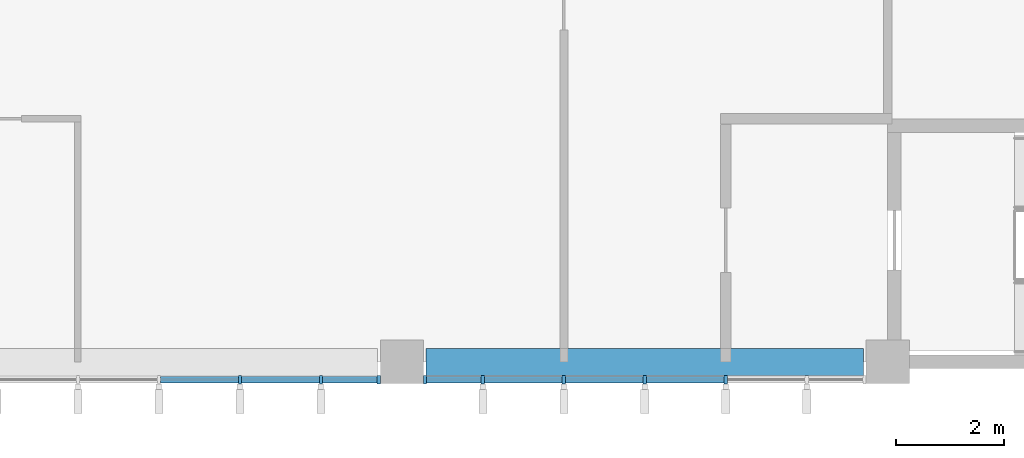
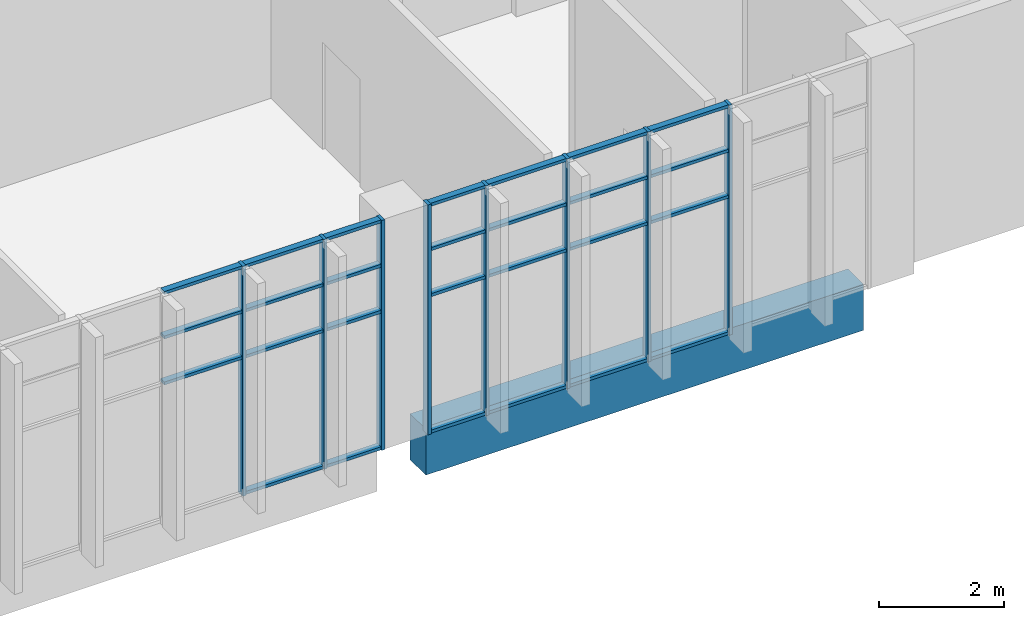
# One storey, part 11 of 40: 35 members, 1 beam, 2 elements without a shape of their own.
"""IFC4 building model written with IfcOpenShell, lengths in metres."""

from ifc_helpers import new_model, si_unit, direction, frame, origin, origin_2d, place, context, subcontext, project, spatial, rectangle, extrude, material, layer, layer_set, material_profile, profile_set, type_object, element, aggregate, save


model = new_model("IFC4")

# Units and contexts
model_context = context("Model", 3, precision=1e-05, world=origin(), true_north=direction((0.0, 1.0)))
body_context = subcontext(model_context, "Body", "Model", "MODEL_VIEW")
ifc_project = project(units=[si_unit("LENGTHUNIT", "METRE"), si_unit("AREAUNIT", "SQUARE_METRE"), si_unit("VOLUMEUNIT", "CUBIC_METRE"), si_unit("PLANEANGLEUNIT", "RADIAN"), si_unit("MASSUNIT", "GRAM", prefix="KILO")], contexts=[model_context])

# Site, building, storey
site_placement = place(None, origin())
site = spatial("IfcSite", under=ifc_project, at=site_placement, CompositionType="ELEMENT")
building_placement = place(site_placement, origin())
building = spatial("IfcBuilding", under=site, at=building_placement, Name="Guidao Yard Department Store", CompositionType="ELEMENT")
storey_placement = place(building_placement, frame((0.0, 0.0, 24.0)))
storey = spatial("IfcBuildingStorey", under=building, at=storey_placement, Name="L05", CompositionType="ELEMENT", Elevation=24.0)

# Curtain wall, members
ifc_material_1 = material(Name="Aluminium and glass", Category="aluminium")
ifc_layer = layer(ifc_material_1, 0.159912109375)
ifc_layer_set = layer_set([ifc_layer], Name="Unitised curtain wall CW4 1500 module")
curtain_wall_type = type_object("IfcCurtainWallType", Name="Unitised curtain wall CW4 1500 module", PredefinedType="NOTDEFINED", material=ifc_layer_set)
curtain_wall_1_placement = place(storey_placement, origin())
curtain_wall_1 = element("IfcCurtainWall", 1, at=curtain_wall_1_placement, inside=storey, type_object=curtain_wall_type, Name="Unitised curtain wall", PredefinedType="NOTDEFINED")
ifc_material_2 = material(Name="Aluminium 6063-T5", Category="aluminium")
ifc_material_profile_1 = material_profile(ifc_material_2, rectangle(XDim=0.06005859375, YDim=0.159912109375, at=origin_2d()), Name="Mullion M1 60 x 160 aluminium pressure plate")
ifc_profile_set_1 = profile_set([ifc_material_profile_1], Name="Aluminium 6063-T5")
member_type_1 = type_object("IfcMemberType", Name="Mullion M1 60 x 160 aluminium pressure plate", PredefinedType="MULLION", material=ifc_profile_set_1)
member_1_placement = place(storey_placement, frame((150.0, -0.330078125, 0.0), z_axis=(0.0, 0.0, 1.0), x_axis=(-1.0, 0.0, 0.0)))
member_1 = element("IfcMember", 2, at=member_1_placement, type_object=member_type_1, Name="CW-OW-L05-03 mullion 5", PredefinedType="MULLION", context=body_context, shape_type="SweptSolid", body=[
    extrude(rectangle(XDim=0.06005859375, YDim=0.159912109375, at=origin_2d()), origin(), (0.0, 0.0, 1.0), 4.5),
])
member_2_placement = place(storey_placement, frame((151.5, -0.330078125, 0.0), z_axis=(0.0, 0.0, 1.0), x_axis=(-1.0, 0.0, 0.0)))
member_2 = element("IfcMember", 3, at=member_2_placement, type_object=member_type_1, Name="CW-OW-L05-03 mullion 6", PredefinedType="MULLION", context=body_context, shape_type="SweptSolid", body=[
    extrude(rectangle(XDim=0.06005859375, YDim=0.159912109375, at=origin_2d()), origin(), (0.0, 0.0, 1.0), 4.5),
])
member_3_placement = place(storey_placement, frame((152.570068359375, -0.330078125, 0.0), z_axis=(0.0, 0.0, 1.0), x_axis=(-1.0, 0.0, 0.0)))
member_3 = element("IfcMember", 4, at=member_3_placement, type_object=member_type_1, Name="CW-OW-L05-03 mullion 7", PredefinedType="MULLION", context=body_context, shape_type="SweptSolid", body=[
    extrude(rectangle(XDim=0.06005859375, YDim=0.159912109375, at=origin_2d()), origin(), (0.0, 0.0, 1.0), 4.5),
])

curtain_wall_2_placement = place(storey_placement, origin())
curtain_wall_2 = element("IfcCurtainWall", 5, at=curtain_wall_2_placement, inside=storey, type_object=curtain_wall_type, Name="Unitised curtain wall", PredefinedType="NOTDEFINED")
member_4_placement = place(storey_placement, frame((153.429931640625, -0.330078125, 0.0), z_axis=(0.0, 0.0, 1.0), x_axis=(-1.0, 0.0, 0.0)))
member_4 = element("IfcMember", 6, at=member_4_placement, type_object=member_type_1, Name="CW-OW-L05-04 mullion 1", PredefinedType="MULLION", context=body_context, shape_type="SweptSolid", body=[
    extrude(rectangle(XDim=0.06005859375, YDim=0.159912109375, at=origin_2d()), origin(), (0.0, 0.0, 1.0), 4.5),
])
member_5_placement = place(storey_placement, frame((154.5, -0.330078125, 0.0), z_axis=(0.0, 0.0, 1.0), x_axis=(-1.0, 0.0, 0.0)))
member_5 = element("IfcMember", 7, at=member_5_placement, type_object=member_type_1, Name="CW-OW-L05-04 mullion 2", PredefinedType="MULLION", context=body_context, shape_type="SweptSolid", body=[
    extrude(rectangle(XDim=0.06005859375, YDim=0.159912109375, at=origin_2d()), origin(), (0.0, 0.0, 1.0), 4.5),
])
member_6_placement = place(storey_placement, frame((156.0, -0.330078125, 0.0), z_axis=(0.0, 0.0, 1.0), x_axis=(-1.0, 0.0, 0.0)))
member_6 = element("IfcMember", 8, at=member_6_placement, type_object=member_type_1, Name="CW-OW-L05-04 mullion 3", PredefinedType="MULLION", context=body_context, shape_type="SweptSolid", body=[
    extrude(rectangle(XDim=0.06005859375, YDim=0.159912109375, at=origin_2d()), origin(), (0.0, 0.0, 1.0), 4.5),
])
member_7_placement = place(storey_placement, frame((157.5, -0.330078125, 0.0), z_axis=(0.0, 0.0, 1.0), x_axis=(-1.0, 0.0, 0.0)))
member_7 = element("IfcMember", 9, at=member_7_placement, type_object=member_type_1, Name="CW-OW-L05-04 mullion 4", PredefinedType="MULLION", context=body_context, shape_type="SweptSolid", body=[
    extrude(rectangle(XDim=0.06005859375, YDim=0.159912109375, at=origin_2d()), origin(), (0.0, 0.0, 1.0), 4.5),
])
member_8_placement = place(storey_placement, frame((159.0, -0.330078125, 0.0), z_axis=(0.0, 0.0, 1.0), x_axis=(-1.0, 0.0, 0.0)))
member_8 = element("IfcMember", 10, at=member_8_placement, type_object=member_type_1, Name="CW-OW-L05-04 mullion 5", PredefinedType="MULLION", context=body_context, shape_type="SweptSolid", body=[
    extrude(rectangle(XDim=0.06005859375, YDim=0.159912109375, at=origin_2d()), origin(), (0.0, 0.0, 1.0), 4.5),
])

# Beam
ifc_material_3 = material(Name="Concrete C40", Category="concrete")
ifc_material_profile_2 = material_profile(ifc_material_3, rectangle(XDim=0.5, YDim=0.89990234375, at=origin_2d()), Name="Spandrel beam 500 x 900 C40")
ifc_profile_set_2 = profile_set([ifc_material_profile_2], Name="Concrete C40")
beam_type = type_object("IfcBeamType", Name="Spandrel beam 500 x 900 C40", PredefinedType="SPANDREL", material=ifc_profile_set_2)
beam_placement = place(storey_placement, frame((153.449951171875, 0.0, -0.449951171875), z_axis=(1.0, 0.0, 0.0), x_axis=(0.0, 1.0, 0.0)))
element("IfcBeam", 11, at=beam_placement, inside=storey, type_object=beam_type, Name="Beam FB03", PredefinedType="SPANDREL", context=body_context, shape_type="SweptSolid", body=[
    extrude(rectangle(XDim=0.5, YDim=0.89990234375, at=origin_2d()), origin(), (0.0, 0.0, 1.0), 8.10009765625),
])

# Member
ifc_material_4 = material(Name="Aluminium 6063-T5", Category="aluminium")
ifc_material_profile_3 = material_profile(ifc_material_4, rectangle(XDim=0.1201171875, YDim=0.06005859375, at=origin_2d()), Name="Transom T1 60 x 120 aluminium pressure plate")
ifc_profile_set_3 = profile_set([ifc_material_profile_3], Name="Aluminium 6063-T5")
member_type_2 = type_object("IfcMemberType", Name="Transom T1 60 x 120 aluminium pressure plate", PredefinedType="USERDEFINED", material=ifc_profile_set_3)
member_9_placement = place(storey_placement, frame((149.969970703125, -0.330078125, 2.699951171875), z_axis=(-1.0, 0.0, 0.0), x_axis=(0.0, -1.0, 0.0)))
member_9 = element("IfcMember", 12, at=member_9_placement, type_object=member_type_2, Name="CW-OW-L05-03 transom 4.2", ObjectType="TRANSOM", PredefinedType="USERDEFINED", context=body_context, shape_type="SweptSolid", body=[
    extrude(rectangle(XDim=0.1201171875, YDim=0.06005859375, at=origin_2d()), origin(), (0.0, 0.0, 1.0), 1.43994140625),
])

member_10_placement = place(storey_placement, frame((149.969970703125, -0.330078125, 3.60009765625), z_axis=(-1.0, 0.0, 0.0), x_axis=(0.0, -1.0, 0.0)))
member_10 = element("IfcMember", 13, at=member_10_placement, type_object=member_type_2, Name="CW-OW-L05-03 transom 4.3", ObjectType="TRANSOM", PredefinedType="USERDEFINED", context=body_context, shape_type="SweptSolid", body=[
    extrude(rectangle(XDim=0.1201171875, YDim=0.06005859375, at=origin_2d()), origin(), (0.0, 0.0, 1.0), 1.43994140625),
])

member_11_placement = place(storey_placement, frame((149.969970703125, -0.330078125, 4.469970703125), z_axis=(-1.0, 0.0, 0.0), x_axis=(0.0, -1.0, 0.0)))
member_11 = element("IfcMember", 14, at=member_11_placement, type_object=member_type_2, Name="CW-OW-L05-03 transom 4.4", ObjectType="TRANSOM", PredefinedType="USERDEFINED", context=body_context, shape_type="SweptSolid", body=[
    extrude(rectangle(XDim=0.1201171875, YDim=0.06005859375, at=origin_2d()), origin(), (0.0, 0.0, 1.0), 1.43994140625),
])

member_12_placement = place(storey_placement, frame((151.469970703125, -0.330078125, 0.030029296875), z_axis=(-1.0, 0.0, 0.0), x_axis=(0.0, -1.0, 0.0)))
member_12 = element("IfcMember", 15, at=member_12_placement, type_object=member_type_2, Name="CW-OW-L05-03 transom 5.1", ObjectType="TRANSOM", PredefinedType="USERDEFINED", context=body_context, shape_type="SweptSolid", body=[
    extrude(rectangle(XDim=0.1201171875, YDim=0.06005859375, at=origin_2d()), origin(), (0.0, 0.0, 1.0), 1.43994140625),
])

member_13_placement = place(storey_placement, frame((151.469970703125, -0.330078125, 2.699951171875), z_axis=(-1.0, 0.0, 0.0), x_axis=(0.0, -1.0, 0.0)))
member_13 = element("IfcMember", 16, at=member_13_placement, type_object=member_type_2, Name="CW-OW-L05-03 transom 5.2", ObjectType="TRANSOM", PredefinedType="USERDEFINED", context=body_context, shape_type="SweptSolid", body=[
    extrude(rectangle(XDim=0.1201171875, YDim=0.06005859375, at=origin_2d()), origin(), (0.0, 0.0, 1.0), 1.43994140625),
])

member_14_placement = place(storey_placement, frame((151.469970703125, -0.330078125, 3.60009765625), z_axis=(-1.0, 0.0, 0.0), x_axis=(0.0, -1.0, 0.0)))
member_14 = element("IfcMember", 17, at=member_14_placement, type_object=member_type_2, Name="CW-OW-L05-03 transom 5.3", ObjectType="TRANSOM", PredefinedType="USERDEFINED", context=body_context, shape_type="SweptSolid", body=[
    extrude(rectangle(XDim=0.1201171875, YDim=0.06005859375, at=origin_2d()), origin(), (0.0, 0.0, 1.0), 1.43994140625),
])

member_15_placement = place(storey_placement, frame((151.469970703125, -0.330078125, 4.469970703125), z_axis=(-1.0, 0.0, 0.0), x_axis=(0.0, -1.0, 0.0)))
member_15 = element("IfcMember", 18, at=member_15_placement, type_object=member_type_2, Name="CW-OW-L05-03 transom 5.4", ObjectType="TRANSOM", PredefinedType="USERDEFINED", context=body_context, shape_type="SweptSolid", body=[
    extrude(rectangle(XDim=0.1201171875, YDim=0.06005859375, at=origin_2d()), origin(), (0.0, 0.0, 1.0), 1.43994140625),
])

member_16_placement = place(storey_placement, frame((152.5400390625, -0.330078125, 0.030029296875), z_axis=(-1.0, 0.0, 0.0), x_axis=(0.0, -1.0, 0.0)))
member_16 = element("IfcMember", 19, at=member_16_placement, type_object=member_type_2, Name="CW-OW-L05-03 transom 6.1", ObjectType="TRANSOM", PredefinedType="USERDEFINED", context=body_context, shape_type="SweptSolid", body=[
    extrude(rectangle(XDim=0.1201171875, YDim=0.06005859375, at=origin_2d()), origin(), (0.0, 0.0, 1.0), 1.010009765625),
])

member_17_placement = place(storey_placement, frame((152.5400390625, -0.330078125, 2.699951171875), z_axis=(-1.0, 0.0, 0.0), x_axis=(0.0, -1.0, 0.0)))
member_17 = element("IfcMember", 20, at=member_17_placement, type_object=member_type_2, Name="CW-OW-L05-03 transom 6.2", ObjectType="TRANSOM", PredefinedType="USERDEFINED", context=body_context, shape_type="SweptSolid", body=[
    extrude(rectangle(XDim=0.1201171875, YDim=0.06005859375, at=origin_2d()), origin(), (0.0, 0.0, 1.0), 1.010009765625),
])

member_18_placement = place(storey_placement, frame((152.5400390625, -0.330078125, 3.60009765625), z_axis=(-1.0, 0.0, 0.0), x_axis=(0.0, -1.0, 0.0)))
member_18 = element("IfcMember", 21, at=member_18_placement, type_object=member_type_2, Name="CW-OW-L05-03 transom 6.3", ObjectType="TRANSOM", PredefinedType="USERDEFINED", context=body_context, shape_type="SweptSolid", body=[
    extrude(rectangle(XDim=0.1201171875, YDim=0.06005859375, at=origin_2d()), origin(), (0.0, 0.0, 1.0), 1.010009765625),
])

member_19_placement = place(storey_placement, frame((152.5400390625, -0.330078125, 4.469970703125), z_axis=(-1.0, 0.0, 0.0), x_axis=(0.0, -1.0, 0.0)))
member_19 = element("IfcMember", 22, at=member_19_placement, type_object=member_type_2, Name="CW-OW-L05-03 transom 6.4", ObjectType="TRANSOM", PredefinedType="USERDEFINED", context=body_context, shape_type="SweptSolid", body=[
    extrude(rectangle(XDim=0.1201171875, YDim=0.06005859375, at=origin_2d()), origin(), (0.0, 0.0, 1.0), 1.010009765625),
])

aggregate(curtain_wall_1, [member_1, member_2, member_3, member_9, member_10, member_11, member_12, member_13, member_14, member_15, member_16, member_17, member_18, member_19])

member_20_placement = place(storey_placement, frame((154.469970703125, -0.330078125, 0.030029296875), z_axis=(-1.0, 0.0, 0.0), x_axis=(0.0, -1.0, 0.0)))
member_20 = element("IfcMember", 23, at=member_20_placement, type_object=member_type_2, Name="CW-OW-L05-04 transom 1.1", ObjectType="TRANSOM", PredefinedType="USERDEFINED", context=body_context, shape_type="SweptSolid", body=[
    extrude(rectangle(XDim=0.1201171875, YDim=0.06005859375, at=origin_2d()), origin(), (0.0, 0.0, 1.0), 1.010009765625),
])

member_21_placement = place(storey_placement, frame((154.469970703125, -0.330078125, 2.699951171875), z_axis=(-1.0, 0.0, 0.0), x_axis=(0.0, -1.0, 0.0)))
member_21 = element("IfcMember", 24, at=member_21_placement, type_object=member_type_2, Name="CW-OW-L05-04 transom 1.2", ObjectType="TRANSOM", PredefinedType="USERDEFINED", context=body_context, shape_type="SweptSolid", body=[
    extrude(rectangle(XDim=0.1201171875, YDim=0.06005859375, at=origin_2d()), origin(), (0.0, 0.0, 1.0), 1.010009765625),
])

member_22_placement = place(storey_placement, frame((154.469970703125, -0.330078125, 3.60009765625), z_axis=(-1.0, 0.0, 0.0), x_axis=(0.0, -1.0, 0.0)))
member_22 = element("IfcMember", 25, at=member_22_placement, type_object=member_type_2, Name="CW-OW-L05-04 transom 1.3", ObjectType="TRANSOM", PredefinedType="USERDEFINED", context=body_context, shape_type="SweptSolid", body=[
    extrude(rectangle(XDim=0.1201171875, YDim=0.06005859375, at=origin_2d()), origin(), (0.0, 0.0, 1.0), 1.010009765625),
])

member_23_placement = place(storey_placement, frame((154.469970703125, -0.330078125, 4.469970703125), z_axis=(-1.0, 0.0, 0.0), x_axis=(0.0, -1.0, 0.0)))
member_23 = element("IfcMember", 26, at=member_23_placement, type_object=member_type_2, Name="CW-OW-L05-04 transom 1.4", ObjectType="TRANSOM", PredefinedType="USERDEFINED", context=body_context, shape_type="SweptSolid", body=[
    extrude(rectangle(XDim=0.1201171875, YDim=0.06005859375, at=origin_2d()), origin(), (0.0, 0.0, 1.0), 1.010009765625),
])

member_24_placement = place(storey_placement, frame((155.969970703125, -0.330078125, 0.030029296875), z_axis=(-1.0, 0.0, 0.0), x_axis=(0.0, -1.0, 0.0)))
member_24 = element("IfcMember", 27, at=member_24_placement, type_object=member_type_2, Name="CW-OW-L05-04 transom 2.1", ObjectType="TRANSOM", PredefinedType="USERDEFINED", context=body_context, shape_type="SweptSolid", body=[
    extrude(rectangle(XDim=0.1201171875, YDim=0.06005859375, at=origin_2d()), origin(), (0.0, 0.0, 1.0), 1.43994140625),
])

member_25_placement = place(storey_placement, frame((155.969970703125, -0.330078125, 2.699951171875), z_axis=(-1.0, 0.0, 0.0), x_axis=(0.0, -1.0, 0.0)))
member_25 = element("IfcMember", 28, at=member_25_placement, type_object=member_type_2, Name="CW-OW-L05-04 transom 2.2", ObjectType="TRANSOM", PredefinedType="USERDEFINED", context=body_context, shape_type="SweptSolid", body=[
    extrude(rectangle(XDim=0.1201171875, YDim=0.06005859375, at=origin_2d()), origin(), (0.0, 0.0, 1.0), 1.43994140625),
])

member_26_placement = place(storey_placement, frame((155.969970703125, -0.330078125, 3.60009765625), z_axis=(-1.0, 0.0, 0.0), x_axis=(0.0, -1.0, 0.0)))
member_26 = element("IfcMember", 29, at=member_26_placement, type_object=member_type_2, Name="CW-OW-L05-04 transom 2.3", ObjectType="TRANSOM", PredefinedType="USERDEFINED", context=body_context, shape_type="SweptSolid", body=[
    extrude(rectangle(XDim=0.1201171875, YDim=0.06005859375, at=origin_2d()), origin(), (0.0, 0.0, 1.0), 1.43994140625),
])

member_27_placement = place(storey_placement, frame((155.969970703125, -0.330078125, 4.469970703125), z_axis=(-1.0, 0.0, 0.0), x_axis=(0.0, -1.0, 0.0)))
member_27 = element("IfcMember", 30, at=member_27_placement, type_object=member_type_2, Name="CW-OW-L05-04 transom 2.4", ObjectType="TRANSOM", PredefinedType="USERDEFINED", context=body_context, shape_type="SweptSolid", body=[
    extrude(rectangle(XDim=0.1201171875, YDim=0.06005859375, at=origin_2d()), origin(), (0.0, 0.0, 1.0), 1.43994140625),
])

member_28_placement = place(storey_placement, frame((157.469970703125, -0.330078125, 0.030029296875), z_axis=(-1.0, 0.0, 0.0), x_axis=(0.0, -1.0, 0.0)))
member_28 = element("IfcMember", 31, at=member_28_placement, type_object=member_type_2, Name="CW-OW-L05-04 transom 3.1", ObjectType="TRANSOM", PredefinedType="USERDEFINED", context=body_context, shape_type="SweptSolid", body=[
    extrude(rectangle(XDim=0.1201171875, YDim=0.06005859375, at=origin_2d()), origin(), (0.0, 0.0, 1.0), 1.43994140625),
])

member_29_placement = place(storey_placement, frame((157.469970703125, -0.330078125, 2.699951171875), z_axis=(-1.0, 0.0, 0.0), x_axis=(0.0, -1.0, 0.0)))
member_29 = element("IfcMember", 32, at=member_29_placement, type_object=member_type_2, Name="CW-OW-L05-04 transom 3.2", ObjectType="TRANSOM", PredefinedType="USERDEFINED", context=body_context, shape_type="SweptSolid", body=[
    extrude(rectangle(XDim=0.1201171875, YDim=0.06005859375, at=origin_2d()), origin(), (0.0, 0.0, 1.0), 1.43994140625),
])

member_30_placement = place(storey_placement, frame((157.469970703125, -0.330078125, 3.60009765625), z_axis=(-1.0, 0.0, 0.0), x_axis=(0.0, -1.0, 0.0)))
member_30 = element("IfcMember", 33, at=member_30_placement, type_object=member_type_2, Name="CW-OW-L05-04 transom 3.3", ObjectType="TRANSOM", PredefinedType="USERDEFINED", context=body_context, shape_type="SweptSolid", body=[
    extrude(rectangle(XDim=0.1201171875, YDim=0.06005859375, at=origin_2d()), origin(), (0.0, 0.0, 1.0), 1.43994140625),
])

member_31_placement = place(storey_placement, frame((157.469970703125, -0.330078125, 4.469970703125), z_axis=(-1.0, 0.0, 0.0), x_axis=(0.0, -1.0, 0.0)))
member_31 = element("IfcMember", 34, at=member_31_placement, type_object=member_type_2, Name="CW-OW-L05-04 transom 3.4", ObjectType="TRANSOM", PredefinedType="USERDEFINED", context=body_context, shape_type="SweptSolid", body=[
    extrude(rectangle(XDim=0.1201171875, YDim=0.06005859375, at=origin_2d()), origin(), (0.0, 0.0, 1.0), 1.43994140625),
])

member_32_placement = place(storey_placement, frame((158.969970703125, -0.330078125, 0.030029296875), z_axis=(-1.0, 0.0, 0.0), x_axis=(0.0, -1.0, 0.0)))
member_32 = element("IfcMember", 35, at=member_32_placement, type_object=member_type_2, Name="CW-OW-L05-04 transom 4.1", ObjectType="TRANSOM", PredefinedType="USERDEFINED", context=body_context, shape_type="SweptSolid", body=[
    extrude(rectangle(XDim=0.1201171875, YDim=0.06005859375, at=origin_2d()), origin(), (0.0, 0.0, 1.0), 1.43994140625),
])

member_33_placement = place(storey_placement, frame((158.969970703125, -0.330078125, 2.699951171875), z_axis=(-1.0, 0.0, 0.0), x_axis=(0.0, -1.0, 0.0)))
member_33 = element("IfcMember", 36, at=member_33_placement, type_object=member_type_2, Name="CW-OW-L05-04 transom 4.2", ObjectType="TRANSOM", PredefinedType="USERDEFINED", context=body_context, shape_type="SweptSolid", body=[
    extrude(rectangle(XDim=0.1201171875, YDim=0.06005859375, at=origin_2d()), origin(), (0.0, 0.0, 1.0), 1.43994140625),
])

member_34_placement = place(storey_placement, frame((158.969970703125, -0.330078125, 3.60009765625), z_axis=(-1.0, 0.0, 0.0), x_axis=(0.0, -1.0, 0.0)))
member_34 = element("IfcMember", 37, at=member_34_placement, type_object=member_type_2, Name="CW-OW-L05-04 transom 4.3", ObjectType="TRANSOM", PredefinedType="USERDEFINED", context=body_context, shape_type="SweptSolid", body=[
    extrude(rectangle(XDim=0.1201171875, YDim=0.06005859375, at=origin_2d()), origin(), (0.0, 0.0, 1.0), 1.43994140625),
])

member_35_placement = place(storey_placement, frame((158.969970703125, -0.330078125, 4.469970703125), z_axis=(-1.0, 0.0, 0.0), x_axis=(0.0, -1.0, 0.0)))
member_35 = element("IfcMember", 38, at=member_35_placement, type_object=member_type_2, Name="CW-OW-L05-04 transom 4.4", ObjectType="TRANSOM", PredefinedType="USERDEFINED", context=body_context, shape_type="SweptSolid", body=[
    extrude(rectangle(XDim=0.1201171875, YDim=0.06005859375, at=origin_2d()), origin(), (0.0, 0.0, 1.0), 1.43994140625),
])

aggregate(curtain_wall_2, [member_4, member_5, member_6, member_7, member_8, member_20, member_21, member_22, member_23, member_24, member_25, member_26, member_27, member_28, member_29, member_30, member_31, member_32, member_33, member_34, member_35])

save(model, "model.ifc")
